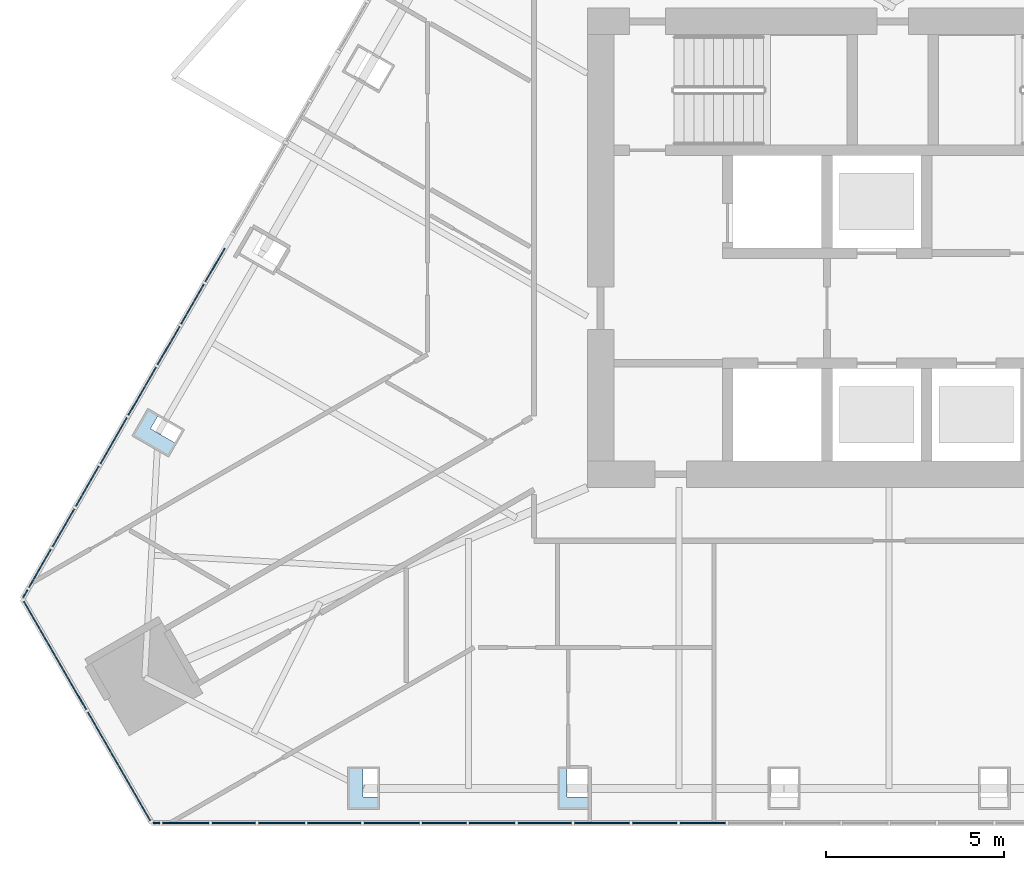
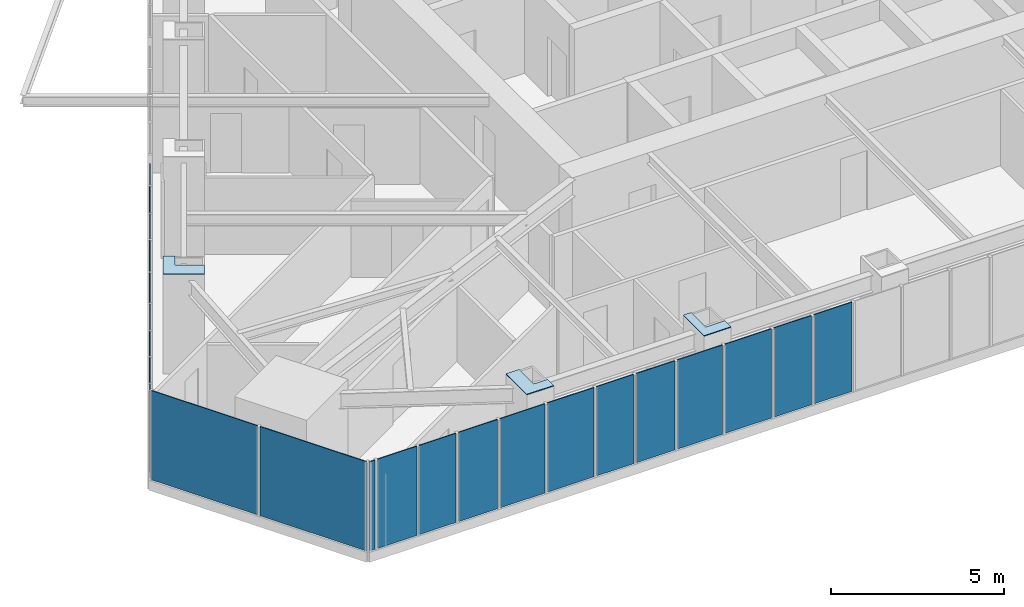
# One storey, part 10 of 19: 26 plates, 3 elements without a shape of their own.
"""IFC4 building model written with IfcOpenShell, lengths in metres."""

from ifc_helpers import new_model, si_unit, direction, frame, origin, place, context, subcontext, project, spatial, polyline, outline, extrude, material, layer, layer_set, type_object, element, aggregate, save


model = new_model("IFC4")

# Units and contexts
model_context = context("Model", 3, precision=1e-05, world=origin(), true_north=direction((0.0, 1.0)))
body_context = subcontext(model_context, "Body", "Model", "MODEL_VIEW")
ifc_project = project(units=[si_unit("LENGTHUNIT", "METRE"), si_unit("AREAUNIT", "SQUARE_METRE"), si_unit("VOLUMEUNIT", "CUBIC_METRE"), si_unit("PLANEANGLEUNIT", "RADIAN"), si_unit("MASSUNIT", "GRAM", prefix="KILO")], contexts=[model_context])

# Site, building, storey
site_placement = place(None, origin())
site = spatial("IfcSite", under=ifc_project, at=site_placement, CompositionType="ELEMENT")
building_placement = place(site_placement, origin())
building = spatial("IfcBuilding", under=site, at=building_placement, Name="Firuza Gate Tower and Library", CompositionType="ELEMENT")
storey_placement = place(building_placement, frame((0.0, 0.0, 316.10009765625)))
storey = spatial("IfcBuildingStorey", under=building, at=storey_placement, Name="L77", CompositionType="ELEMENT", Elevation=316.10009765625)

# Plates
ifc_material_1 = material(Name="Steel S355", Category="steel")
ifc_layer_1 = layer(ifc_material_1, 0.030029296875)
ifc_layer_set_1 = layer_set([ifc_layer_1], Name="Column infill plate 30 Steel S355")
plate_type_1 = type_object("IfcPlateType", Name="Column infill plate 30 Steel S355", PredefinedType="SHEET", material=ifc_layer_set_1)
placement_1 = place(storey_placement, frame((0.0, 0.0, 3.5)))
element("IfcPlate", 1, at=placement_1, inside=storey, type_object=plate_type_1, Name="Infill plate L77:S1", PredefinedType="SHEET", context=body_context, shape_type="SweptSolid", body=[
    extrude(outline(polyline([(60.64990234375, 59.180419921875), (60.64990234375, 59.5361328125), (60.18994140625, 59.5361328125), (60.18994140625, 60.38037109375), (59.75, 60.38037109375), (59.75, 59.180419921875), (60.64990234375, 59.180419921875)])), origin(), (0.0, 0.0, 1.0), 0.02978515625),
])
element("IfcPlate", 2, at=placement_1, inside=storey, type_object=plate_type_1, Name="Infill plate L77:S2", PredefinedType="SHEET", context=body_context, shape_type="SweptSolid", body=[
    extrude(outline(polyline([(66.570068359375, 59.180419921875), (66.570068359375, 59.5361328125), (65.93408203125, 59.5361328125), (65.93408203125, 60.38037109375), (65.669921875, 60.38037109375), (65.669921875, 59.180419921875), (66.570068359375, 59.180419921875)])), origin(), (0.0, 0.0, 1.0), 0.02978515625),
])
element("IfcPlate", 3, at=placement_1, inside=storey, type_object=plate_type_1, Name="Infill plate L77:W6", PredefinedType="SHEET", context=body_context, shape_type="SweptSolid", body=[
    extrude(outline(polyline([(54.714111328125, 69.10302734375), (54.93408203125, 69.48388671875), (54.202880859375, 69.90625), (54.432861328125, 70.304443359375), (54.124755859375, 70.482421875), (53.6748046875, 69.702880859375), (54.714111328125, 69.10302734375)])), origin(), (0.0, 0.0, 1.0), 0.02978515625),
])

# Curtain wall, plates
ifc_material_2 = material(Name="Aluminium 6063-T6", Category="aluminium")
ifc_layer_2 = layer(ifc_material_2, 0.14990234375)
ifc_layer_set_2 = layer_set([ifc_layer_2], Name="Corner curtain wall, chamfers")
curtain_wall_type_1 = type_object("IfcCurtainWallType", Name="Corner curtain wall, chamfers", PredefinedType="NOTDEFINED", material=ifc_layer_set_2)
placement_2 = place(storey_placement, origin())
curtain_wall_1 = element("IfcCurtainWall", 4, at=placement_2, inside=storey, type_object=curtain_wall_type_1, Name="CW4 L77 SW corner", PredefinedType="NOTDEFINED")
ifc_material_3 = material(Name="Fritted glass", Category="glass")
ifc_layer_3 = layer(ifc_material_3, 0.030029296875)
ifc_layer_set_3 = layer_set([ifc_layer_3], Name="Fritted glass unit, corners")
plate_type_2 = type_object("IfcPlateType", Name="Fritted glass unit, corners", PredefinedType="CURTAIN_PANEL", material=ifc_layer_set_3)
plate_4_placement = place(storey_placement, frame((50.600341796875, 65.07373046875, 0.14990234375), z_axis=(-0.866016723041, -0.500015035186, 0.0), x_axis=(0.500015035186, -0.866016723041, 0.0)))
plate_4 = element("IfcPlate", 5, at=plate_4_placement, type_object=plate_type_2, Name="Glass unit", PredefinedType="CURTAIN_PANEL", context=body_context, shape_type="SweptSolid", body=[
    extrude(outline(polyline([(0.0, 0.0), (3.5633694106530625, 0.0), (3.5633694106530625, 3.14990234375), (0.0, 3.14990234375), (0.0, 0.0)])), origin(), (0.0, 0.0, -1.0), 0.030029296875),
])
plate_5_placement = place(storey_placement, frame((52.422119140625, 61.91845703125, 0.14990234375), z_axis=(-0.866046390552, -0.49996364809, 0.0), x_axis=(0.49996364809, -0.866046390552, 0.0)))
plate_5 = element("IfcPlate", 6, at=plate_5_placement, type_object=plate_type_2, Name="Glass unit", PredefinedType="CURTAIN_PANEL", context=body_context, shape_type="SweptSolid", body=[
    extrude(outline(polyline([(0.0, 0.0), (3.563247342942594, 0.0), (3.563247342942594, 3.14990234375), (0.0, 3.14990234375), (0.0, 0.0)])), origin(), (0.0, 0.0, -1.0), 0.030029296875),
])
aggregate(curtain_wall_1, [plate_4, plate_5])

ifc_material_4 = material(Name="Aluminium 6063-T6", Category="aluminium")
ifc_layer_4 = layer(ifc_material_4, 0.14990234375)
ifc_layer_set_4 = layer_set([ifc_layer_4], Name="Unitised curtain wall, residences")
curtain_wall_type_2 = type_object("IfcCurtainWallType", Name="Unitised curtain wall, residences", PredefinedType="NOTDEFINED", material=ifc_layer_set_4)
curtain_wall_2 = element("IfcCurtainWall", 7, at=placement_2, inside=storey, type_object=curtain_wall_type_2, Name="CW3 L77 S face", PredefinedType="NOTDEFINED")
ifc_material_5 = material(Name="Fritted glass", Category="glass")
ifc_layer_5 = layer(ifc_material_5, 0.030029296875)
ifc_layer_set_5 = layer_set([ifc_layer_5], Name="Fritted glass unit, residences")
plate_type_3 = type_object("IfcPlateType", Name="Fritted glass unit, residences", PredefinedType="CURTAIN_PANEL", material=ifc_layer_set_5)
plate_6_placement = place(storey_placement, frame((54.542724609375, 58.790283203125, 0.14990234375), z_axis=(0.0, -1.0, 0.0), x_axis=(1.0, 0.0, 0.0)))
plate_6 = element("IfcPlate", 8, at=plate_6_placement, type_object=plate_type_3, Name="Glass unit", PredefinedType="CURTAIN_PANEL", context=body_context, shape_type="SweptSolid", body=[
    extrude(outline(polyline([(0.0, 0.0), (1.308349609375, 0.0), (1.308349609375, 3.14990234375), (0.0, 3.14990234375), (0.0, 0.0)])), origin(), (0.0, 0.0, -1.0), 0.030029296875),
])
plate_7_placement = place(storey_placement, frame((58.62890625, 58.790283203125, 0.14990234375), z_axis=(0.0, -1.0, 0.0), x_axis=(1.0, 0.0, 0.0)))
plate_7 = element("IfcPlate", 9, at=plate_7_placement, type_object=plate_type_3, Name="Glass unit", PredefinedType="CURTAIN_PANEL", context=body_context, shape_type="SweptSolid", body=[
    extrude(outline(polyline([(0.0, 0.0), (1.500244140625, 0.0), (1.500244140625, 3.14990234375), (0.0, 3.14990234375), (0.0, 0.0)])), origin(), (0.0, 0.0, -1.0), 0.030029296875),
])
plate_8_placement = place(storey_placement, frame((60.208984375, 58.790283203125, 0.14990234375), z_axis=(0.0, -1.0, 0.0), x_axis=(1.0, 0.0, 0.0)))
plate_8 = element("IfcPlate", 10, at=plate_8_placement, type_object=plate_type_3, Name="Glass unit", PredefinedType="CURTAIN_PANEL", context=body_context, shape_type="SweptSolid", body=[
    extrude(outline(polyline([(0.0, 0.0), (1.56201171875, 0.0), (1.56201171875, 3.14990234375), (0.0, 3.14990234375), (0.0, 0.0)])), origin(), (0.0, 0.0, -1.0), 0.030029296875),
])
plate_9_placement = place(storey_placement, frame((64.548828125, 58.790283203125, 0.14990234375), z_axis=(0.0, -1.0, 0.0), x_axis=(1.0, 0.0, 0.0)))
plate_9 = element("IfcPlate", 11, at=plate_9_placement, type_object=plate_type_3, Name="Glass unit", PredefinedType="CURTAIN_PANEL", context=body_context, shape_type="SweptSolid", body=[
    extrude(outline(polyline([(0.0, 0.0), (1.5126953125, 0.0), (1.5126953125, 3.14990234375), (0.0, 3.14990234375), (0.0, 0.0)])), origin(), (0.0, 0.0, -1.0), 0.030029296875),
])
plate_10_placement = place(storey_placement, frame((66.141357421875, 58.790283203125, 0.14990234375), z_axis=(0.0, -1.0, 0.0), x_axis=(1.0, 0.0, 0.0)))
plate_10 = element("IfcPlate", 12, at=plate_10_placement, type_object=plate_type_3, Name="Glass unit", PredefinedType="CURTAIN_PANEL", context=body_context, shape_type="SweptSolid", body=[
    extrude(outline(polyline([(0.0, 0.0), (1.5498046875, 0.0), (1.5498046875, 3.14990234375), (0.0, 3.14990234375), (0.0, 0.0)])), origin(), (0.0, 0.0, -1.0), 0.030029296875),
])

curtain_wall_3 = element("IfcCurtainWall", 13, at=placement_2, inside=storey, type_object=curtain_wall_type_2, Name="CW3 L77 W face", PredefinedType="NOTDEFINED")
plate_11_placement = place(storey_placement, frame((56.278564453125, 74.99267578125, 0.14990234375), z_axis=(-0.866016800201, 0.500014901547, 0.0), x_axis=(-0.500014901547, -0.866016800201, 0.0)))
plate_11 = element("IfcPlate", 14, at=plate_11_placement, type_object=plate_type_3, Name="Glass unit", PredefinedType="CURTAIN_PANEL", context=body_context, shape_type="SweptSolid", body=[
    extrude(outline(polyline([(0.0, 0.0), (1.0839520698751075, 0.0), (1.0839520698751075, 3.14990234375), (0.0, 3.14990234375), (0.0, 0.0)])), origin(), (0.0, 0.0, -1.0), 0.030029296875),
])
plate_12_placement = place(storey_placement, frame((54.34765625, 71.648193359375, 0.14990234375), z_axis=(-0.866032025414, 0.499988530825, 0.0), x_axis=(-0.499988530825, -0.866032025414, 0.0)))
plate_12 = element("IfcPlate", 15, at=plate_12_placement, type_object=plate_type_3, Name="Glass unit", PredefinedType="CURTAIN_PANEL", context=body_context, shape_type="SweptSolid", body=[
    extrude(outline(polyline([(0.0, 0.0), (1.5620475495436166, 0.0), (1.5620475495436166, 3.14990234375), (0.0, 3.14990234375), (0.0, 0.0)])), origin(), (0.0, 0.0, -1.0), 0.030029296875),
])
plate_13_placement = place(storey_placement, frame((53.526611328125, 70.226318359375, 0.14990234375), z_axis=(-0.866071776036, 0.499919672301, 0.0), x_axis=(-0.499919672301, -0.866071776036, 0.0)))
plate_13 = element("IfcPlate", 16, at=plate_13_placement, type_object=plate_type_3, Name="Glass unit", PredefinedType="CURTAIN_PANEL", context=body_context, shape_type="SweptSolid", body=[
    extrude(outline(polyline([(0.0, 0.0), (1.5002410218196325, 0.0), (1.5002410218196325, 3.14990234375), (0.0, 3.14990234375), (0.0, 0.0)])), origin(), (0.0, 0.0, -1.0), 0.030029296875),
])
plate_14_placement = place(storey_placement, frame((51.3876953125, 66.521484375, 0.14990234375), z_axis=(-0.866035156036, 0.499983108224, 0.0), x_axis=(-0.499983108224, -0.866035156036, 0.0)))
plate_14 = element("IfcPlate", 17, at=plate_14_placement, type_object=plate_type_3, Name="Glass unit", PredefinedType="CURTAIN_PANEL", context=body_context, shape_type="SweptSolid", body=[
    extrude(outline(polyline([(0.0, 0.0), (1.2432060624165047, 0.0), (1.2432060624165047, 3.14990234375), (0.0, 3.14990234375), (0.0, 0.0)])), origin(), (0.0, 0.0, -1.0), 0.030029296875),
])

# Plate
ifc_material_6 = material(Name="Glazed ceramic tile")
ifc_layer_6 = layer(ifc_material_6, 0.030029296875)
ifc_layer_set_6 = layer_set([ifc_layer_6], Name="Opaque ceramic panel, residences")
plate_type_4 = type_object("IfcPlateType", Name="Opaque ceramic panel, residences", PredefinedType="CURTAIN_PANEL", material=ifc_layer_set_6)
plate_15_placement = place(storey_placement, frame((54.276611328125, 58.790283203125, 0.14990234375), z_axis=(0.0, -1.0, 0.0), x_axis=(1.0, 0.0, 0.0)))
plate_15 = element("IfcPlate", 18, at=plate_15_placement, type_object=plate_type_4, Name="Opaque ceramic panel", PredefinedType="CURTAIN_PANEL", context=body_context, shape_type="SweptSolid", body=[
    extrude(outline(polyline([(0.0, 0.0), (0.186279296875, 0.0), (0.186279296875, 3.14990234375), (0.0, 3.14990234375), (0.0, 0.0)])), origin(), (0.0, 0.0, -1.0), 0.030029296875),
])

plate_16_placement = place(storey_placement, frame((55.93115234375, 58.790283203125, 0.14990234375), z_axis=(0.0, -1.0, 0.0), x_axis=(1.0, 0.0, 0.0)))
plate_16 = element("IfcPlate", 19, at=plate_16_placement, type_object=plate_type_4, Name="Opaque ceramic panel", PredefinedType="CURTAIN_PANEL", context=body_context, shape_type="SweptSolid", body=[
    extrude(outline(polyline([(0.0, 0.0), (1.231689453125, 0.0), (1.231689453125, 3.14990234375), (0.0, 3.14990234375), (0.0, 0.0)])), origin(), (0.0, 0.0, -1.0), 0.030029296875),
])

plate_17_placement = place(storey_placement, frame((57.242919921875, 58.790283203125, 0.14990234375), z_axis=(0.0, -1.0, 0.0), x_axis=(1.0, 0.0, 0.0)))
plate_17 = element("IfcPlate", 20, at=plate_17_placement, type_object=plate_type_4, Name="Opaque ceramic panel", PredefinedType="CURTAIN_PANEL", context=body_context, shape_type="SweptSolid", body=[
    extrude(outline(polyline([(0.0, 0.0), (1.305908203125, 0.0), (1.305908203125, 3.14990234375), (0.0, 3.14990234375), (0.0, 0.0)])), origin(), (0.0, 0.0, -1.0), 0.030029296875),
])

plate_18_placement = place(storey_placement, frame((61.85107421875, 58.790283203125, 0.14990234375), z_axis=(0.0, -1.0, 0.0), x_axis=(1.0, 0.0, 0.0)))
plate_18 = element("IfcPlate", 21, at=plate_18_placement, type_object=plate_type_4, Name="Opaque ceramic panel", PredefinedType="CURTAIN_PANEL", context=body_context, shape_type="SweptSolid", body=[
    extrude(outline(polyline([(0.0, 0.0), (1.244140625, 0.0), (1.244140625, 3.14990234375), (0.0, 3.14990234375), (0.0, 0.0)])), origin(), (0.0, 0.0, -1.0), 0.030029296875),
])

plate_19_placement = place(storey_placement, frame((63.17529296875, 58.790283203125, 0.14990234375), z_axis=(0.0, -1.0, 0.0), x_axis=(1.0, 0.0, 0.0)))
plate_19 = element("IfcPlate", 22, at=plate_19_placement, type_object=plate_type_4, Name="Opaque ceramic panel", PredefinedType="CURTAIN_PANEL", context=body_context, shape_type="SweptSolid", body=[
    extrude(outline(polyline([(0.0, 0.0), (1.293701171875, 0.0), (1.293701171875, 3.14990234375), (0.0, 3.14990234375), (0.0, 0.0)])), origin(), (0.0, 0.0, -1.0), 0.030029296875),
])

plate_20_placement = place(storey_placement, frame((67.77099609375, 58.790283203125, 0.14990234375), z_axis=(0.0, -1.0, 0.0), x_axis=(1.0, 0.0, 0.0)))
plate_20 = element("IfcPlate", 23, at=plate_20_placement, type_object=plate_type_4, Name="Opaque ceramic panel", PredefinedType="CURTAIN_PANEL", context=body_context, shape_type="SweptSolid", body=[
    extrude(outline(polyline([(0.0, 0.0), (1.256591796875, 0.0), (1.256591796875, 3.14990234375), (0.0, 3.14990234375), (0.0, 0.0)])), origin(), (0.0, 0.0, -1.0), 0.030029296875),
])

plate_21_placement = place(storey_placement, frame((69.107666015625, 58.790283203125, 0.14990234375), z_axis=(0.0, -1.0, 0.0), x_axis=(1.0, 0.0, 0.0)))
plate_21 = element("IfcPlate", 24, at=plate_21_placement, type_object=plate_type_4, Name="Opaque ceramic panel", PredefinedType="CURTAIN_PANEL", context=body_context, shape_type="SweptSolid", body=[
    extrude(outline(polyline([(0.0, 0.0), (1.28125, 0.0), (1.28125, 3.14990234375), (0.0, 3.14990234375), (0.0, 0.0)])), origin(), (0.0, 0.0, -1.0), 0.030029296875),
])

aggregate(curtain_wall_2, [plate_15, plate_6, plate_16, plate_17, plate_7, plate_8, plate_18, plate_19, plate_9, plate_10, plate_20, plate_21])

plate_22_placement = place(storey_placement, frame((55.696533203125, 73.984619140625, 0.14990234375), z_axis=(-0.866063024342, 0.49993483362, 0.0), x_axis=(-0.49993483362, -0.866063024342, 0.0)))
plate_22 = element("IfcPlate", 25, at=plate_22_placement, type_object=plate_type_4, Name="Opaque ceramic panel", PredefinedType="CURTAIN_PANEL", context=body_context, shape_type="SweptSolid", body=[
    extrude(outline(polyline([(0.0, 0.0), (1.2936256330486537, 0.0), (1.2936256330486537, 3.1499023437499996), (0.0, 3.1499023437499996), (0.0, 0.0)])), origin(), (0.0, 0.0, -1.0), 0.030029296875),
])

plate_23_placement = place(storey_placement, frame((55.009765625, 72.794921875, 0.14990234375), z_axis=(-0.866012380058, 0.500022557078, 0.0), x_axis=(-0.500022557078, -0.866012380058, 0.0)))
plate_23 = element("IfcPlate", 26, at=plate_23_placement, type_object=plate_type_4, Name="Opaque ceramic panel", PredefinedType="CURTAIN_PANEL", context=body_context, shape_type="SweptSolid", body=[
    extrude(outline(polyline([(0.0, 0.0), (1.2440844991770783, 0.0), (1.2440844991770783, 3.14990234375), (0.0, 3.14990234375), (0.0, 0.0)])), origin(), (0.0, 0.0, -1.0), 0.030029296875),
])

plate_24_placement = place(storey_placement, frame((52.736572265625, 68.857666015625, 0.14990234375), z_axis=(-0.865967633634, 0.500100047489, 0.0), x_axis=(-0.500100047489, -0.865967633634, 0.0)))
plate_24 = element("IfcPlate", 27, at=plate_24_placement, type_object=plate_type_4, Name="Opaque ceramic panel", PredefinedType="CURTAIN_PANEL", context=body_context, shape_type="SweptSolid", body=[
    extrude(outline(polyline([(0.0, 0.0), (1.3058910415100855, 0.0), (1.3058910415100855, 3.149902343750001), (0.0, 3.149902343750001), (0.0, 0.0)])), origin(), (0.0, 0.0, -1.0), 0.030029296875),
])

plate_25_placement = place(storey_placement, frame((52.04345703125, 67.657470703125, 0.14990234375), z_axis=(-0.86602717807, 0.499996926835, 0.0), x_axis=(-0.499996926835, -0.86602717807, 0.0)))
plate_25 = element("IfcPlate", 28, at=plate_25_placement, type_object=plate_type_4, Name="Opaque ceramic panel", PredefinedType="CURTAIN_PANEL", context=body_context, shape_type="SweptSolid", body=[
    extrude(outline(polyline([(0.0, 0.0), (1.2319411656664472, 0.0), (1.2319411656664472, 3.14990234375), (0.0, 3.14990234375), (0.0, 0.0)])), origin(), (0.0, 0.0, -1.0), 0.030029296875),
])

plate_26_placement = place(storey_placement, frame((50.72607421875, 65.37548828125, 0.14990234375), z_axis=(-0.865780878536, 0.500423291185, 0.0), x_axis=(-0.500423291185, -0.865780878536, 0.0)))
plate_26 = element("IfcPlate", 29, at=plate_26_placement, type_object=plate_type_4, Name="Opaque ceramic panel", PredefinedType="CURTAIN_PANEL", context=body_context, shape_type="SweptSolid", body=[
    extrude(outline(polyline([(0.0, 0.0), (0.2512521381192305, 0.0), (0.2512521381192305, 3.14990234375), (0.0, 3.14990234375), (0.0, 0.0)])), origin(), (0.0, 0.0, -1.0), 0.030029296875),
])

aggregate(curtain_wall_3, [plate_11, plate_22, plate_23, plate_12, plate_13, plate_24, plate_25, plate_14, plate_26])

save(model, "model.ifc")
